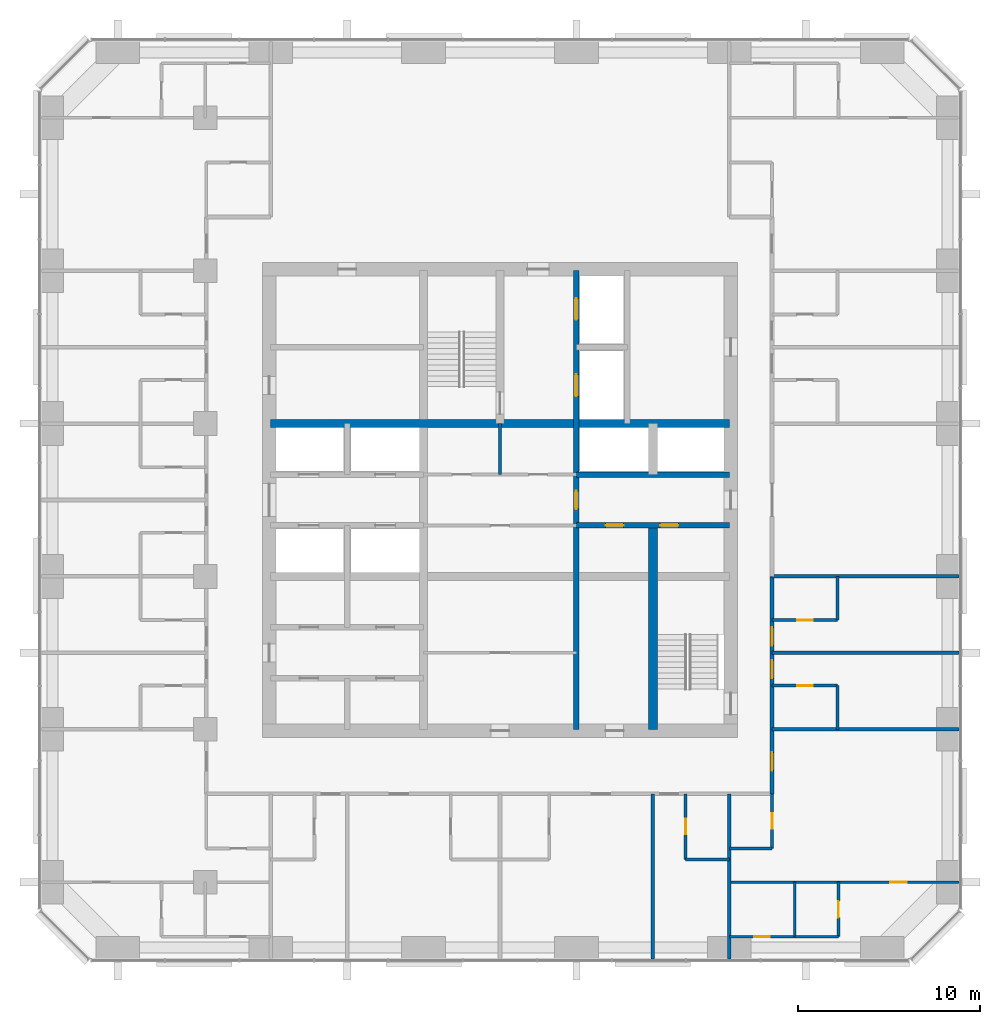
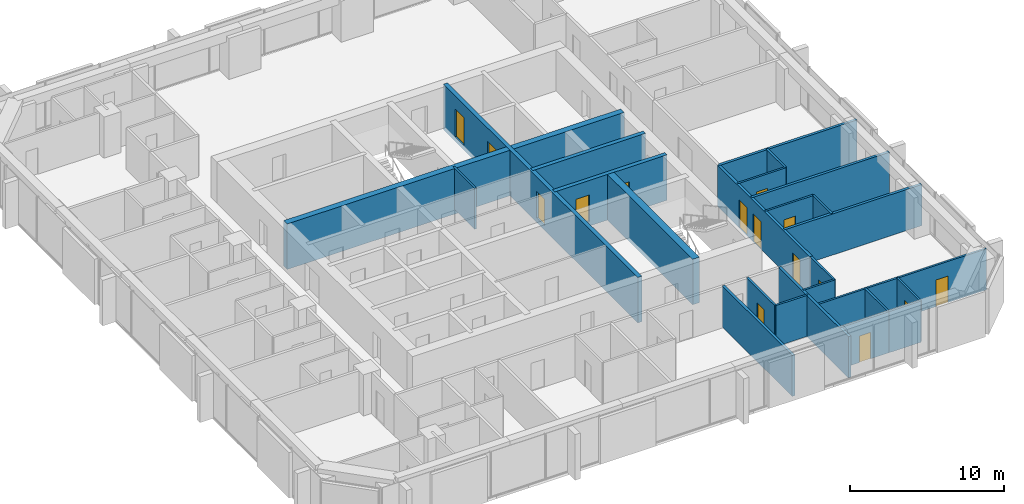
# One storey, part 10 of 13: 25 walls, 15 doors, 15 openings.
"""IFC4 building model written with IfcOpenShell, lengths in metres."""

from ifc_helpers import new_model, si_unit, direction, frame, frame_2d, origin, place, context, subcontext, project, spatial, rectangle, extrude, material, layer, layer_set, type_object, element, fill, save


model = new_model("IFC4")

# Units and contexts
model_context = context("Model", 3, precision=1e-05, world=origin(), true_north=direction((0.0, 1.0)))
body_context = subcontext(model_context, "Body", "Model", "MODEL_VIEW")
ifc_project = project(units=[si_unit("LENGTHUNIT", "METRE"), si_unit("AREAUNIT", "SQUARE_METRE"), si_unit("VOLUMEUNIT", "CUBIC_METRE"), si_unit("PLANEANGLEUNIT", "RADIAN"), si_unit("MASSUNIT", "GRAM", prefix="KILO")], contexts=[model_context])

# Site, building, storey
site_placement = place(None, origin())
site = spatial("IfcSite", under=ifc_project, at=site_placement, CompositionType="ELEMENT")
building_placement = place(site_placement, origin())
building = spatial("IfcBuilding", under=site, at=building_placement, Name="Dunama Terrace Hotel", CompositionType="ELEMENT")
storey_placement = place(building_placement, frame((0.0, 0.0, 169.800048828125)))
storey = spatial("IfcBuildingStorey", under=building, at=storey_placement, Name="L43", CompositionType="ELEMENT", Elevation=169.800048828125)

# Wall, opening, door
ifc_material_1 = material(Name="Gypsum board partition", Category="masonry")
ifc_layer_1 = layer(ifc_material_1, 0.14990234375)
ifc_layer_set_1 = layer_set([ifc_layer_1], Name="Bathroom partition 150")
wall_type_1 = type_object("IfcWallType", Name="Bathroom partition 150", PredefinedType="PARTITIONING", material=ifc_layer_set_1)
wall_1_placement = place(storey_placement, frame((39.60009765625, 9.64990234375, 0.0), z_axis=(0.0, 0.0, 1.0), x_axis=(0.0, 1.0, 0.0)))
wall_1 = element("IfcWall", 1, at=wall_1_placement, inside=storey, type_object=wall_type_1, Name="Bathroom partition 150 L43", PredefinedType="PARTITIONING", context=body_context, shape_type="SweptSolid", body=[
    extrude(rectangle(XDim=3.60009765625, YDim=0.14990234375, at=frame_2d((1.800048828125, 0.0))), origin(), (0.0, 0.0, 1.0), 3.25),
])
opening_1_placement = place(wall_1_placement, frame((1.375, 0.0, 0.0)))
opening_1 = element("IfcOpeningElement", 2, at=opening_1_placement, cuts=wall_1, Name="Opening L42-44-016", PredefinedType="OPENING", context=body_context, shape_type="SweptSolid", body=[
    extrude(rectangle(XDim=0.85009765625, YDim=2.10009765625, at=frame_2d((0.425048828125, 1.050048828125))), frame((0.0, 0.0849609375, 0.0), z_axis=(0.0, -1.0, 0.0), x_axis=(1.0, 0.0, 0.0)), (0.0, 0.0, 1.0), 0.169921875),
])
ifc_material_2 = material(Name="Timber door with steel frame", Category="steel")
door_type_1 = type_object("IfcDoorType", Name="Bathroom door 850", OperationType="SINGLE_SWING_LEFT", PredefinedType="DOOR", material=ifc_material_2)
door_1_placement = place(opening_1_placement, frame((0.85009765625, 0.0, 0.0), z_axis=(0.0, 0.0, 1.0), x_axis=(-1.0, 0.0, 0.0)))
door_1 = element("IfcDoor", 3, at=door_1_placement, inside=storey, type_object=door_type_1, Name="Door to en-suite bathroom L42-44-016, type D2", OperationType="SINGLE_SWING_LEFT", OverallHeight=2.10009765625, OverallWidth=0.85009765625, PredefinedType="DOOR", context=body_context, shape_type="SweptSolid", body=[
    extrude(rectangle(XDim=0.85009765625, YDim=2.10009765625, at=frame_2d((0.425048828125, 1.050048828125))), frame((0.0, 0.025146484375, 0.0), z_axis=(0.0, -1.0, 0.0), x_axis=(1.0, 0.0, 0.0)), (0.0, 0.0, 1.0), 0.050048828125),
])
fill(opening_1, door_1)

wall_2_placement = place(storey_placement, frame((44.35009765625, 10.25, 0.0), z_axis=(0.0, 0.0, 1.0), x_axis=(0.0, 1.0, 0.0)))
wall_2 = element("IfcWall", 4, at=wall_2_placement, inside=storey, type_object=wall_type_1, Name="Bathroom partition 150 L43", PredefinedType="PARTITIONING", context=body_context, shape_type="SweptSolid", body=[
    extrude(rectangle(XDim=3.0, YDim=0.14990234375, at=frame_2d((1.5, 0.0))), origin(), (0.0, 0.0, 1.0), 3.25),
])
opening_2_placement = place(wall_2_placement, frame((1.074951171875, 0.0, 0.0)))
opening_2 = element("IfcOpeningElement", 5, at=opening_2_placement, cuts=wall_2, Name="Opening L42-44-044", PredefinedType="OPENING", context=body_context, shape_type="SweptSolid", body=[
    extrude(rectangle(XDim=0.85009765625, YDim=2.10009765625, at=frame_2d((0.425048828125, 1.050048828125))), frame((0.0, 0.0849609375, 0.0), z_axis=(0.0, -1.0, 0.0), x_axis=(1.0, 0.0, 0.0)), (0.0, 0.0, 1.0), 0.169921875),
])
door_2_placement = place(opening_2_placement, origin())
door_2 = element("IfcDoor", 6, at=door_2_placement, inside=storey, type_object=door_type_1, Name="Door to powder room L42-44-044, type D2", OperationType="SINGLE_SWING_RIGHT", OverallHeight=2.10009765625, OverallWidth=0.85009765625, PredefinedType="DOOR", context=body_context, shape_type="SweptSolid", body=[
    extrude(rectangle(XDim=0.85009765625, YDim=2.10009765625, at=frame_2d((0.425048828125, 1.050048828125))), frame((0.0, 0.02490234375, 0.0), z_axis=(0.0, -1.0, 0.0), x_axis=(1.0, 0.0, 0.0)), (0.0, 0.0, 1.0), 0.050048828125),
])
fill(opening_2, door_2)

# Walls
for number, where, z_axis, x_axis, name in (
    (7, (47.949951171875, 16.800048828125, 0.0), (0.0, 0.0, 1.0), (0.0, 1.0, 0.0), "Bathroom partition 150 L43"),
    (8, (47.949951171875, 22.800048828125, 0.0), (0.0, 0.0, 1.0), (0.0, 1.0, 0.0), "Bathroom partition 150 L43"),
):
    element("IfcWall", number, at=place(storey_placement, frame(where, z_axis=z_axis, x_axis=x_axis)), inside=storey, type_object=wall_type_1, Name=name, PredefinedType="PARTITIONING", context=body_context, shape_type="SweptSolid", body=[
        extrude(rectangle(XDim=2.39990234375, YDim=0.14990234375, at=frame_2d((1.199951171875, 0.0))), origin(), (0.0, 0.0, 1.0), 3.25),
    ])

# Wall, opening, door
wall_3_placement = place(storey_placement, frame((42.0, 5.39990234375, 0.0), z_axis=(0.0, 0.0, 1.0), x_axis=(1.0, 0.0, 0.0)))
wall_3 = element("IfcWall", 9, at=wall_3_placement, inside=storey, type_object=wall_type_1, Name="Bathroom partition 150 L43", PredefinedType="PARTITIONING", context=body_context, shape_type="SweptSolid", body=[
    extrude(rectangle(XDim=3.60009765625, YDim=0.14990234375, at=frame_2d((1.800048828125, 0.0))), origin(), (0.0, 0.0, 1.0), 3.25),
])
opening_3_placement = place(wall_3_placement, frame((1.375, 0.0, 0.0)))
opening_3 = element("IfcOpeningElement", 10, at=opening_3_placement, cuts=wall_3, Name="Opening L42-44-046", PredefinedType="OPENING", context=body_context, shape_type="SweptSolid", body=[
    extrude(rectangle(XDim=0.85009765625, YDim=2.10009765625, at=frame_2d((0.425048828125, 1.050048828125))), frame((0.0, 0.0849609375, 0.0), z_axis=(0.0, -1.0, 0.0), x_axis=(1.0, 0.0, 0.0)), (0.0, 0.0, 1.0), 0.169921875),
])
door_3_placement = place(opening_3_placement, origin())
door_3 = element("IfcDoor", 11, at=door_3_placement, inside=storey, type_object=door_type_1, Name="Door to en-suite bathroom L42-44-046, type D2", OperationType="SINGLE_SWING_LEFT", OverallHeight=2.10009765625, OverallWidth=0.85009765625, PredefinedType="DOOR", context=body_context, shape_type="SweptSolid", body=[
    extrude(rectangle(XDim=0.85009765625, YDim=2.10009765625, at=frame_2d((0.425048828125, 1.050048828125))), frame((0.0, 0.02490234375, 0.0), z_axis=(0.0, -1.0, 0.0), x_axis=(1.0, 0.0, 0.0)), (0.0, 0.0, 1.0), 0.050048828125),
])
fill(opening_3, door_3)

# Walls
wall_4_placement = place(storey_placement, frame((39.60009765625, 9.64990234375, 0.0), z_axis=(0.0, 0.0, 1.0), x_axis=(1.0, 0.0, 0.0)))
element("IfcWall", 12, at=wall_4_placement, inside=storey, type_object=wall_type_1, Name="Bathroom partition 150 L43", PredefinedType="PARTITIONING", context=body_context, shape_type="SweptSolid", body=[
    extrude(rectangle(XDim=2.39990234375, YDim=0.14990234375, at=frame_2d((1.199951171875, 0.0))), origin(), (0.0, 0.0, 1.0), 3.25),
])
wall_5_placement = place(storey_placement, frame((42.0, 10.25, 0.0), z_axis=(0.0, 0.0, 1.0), x_axis=(1.0, 0.0, 0.0)))
element("IfcWall", 13, at=wall_5_placement, inside=storey, type_object=wall_type_1, Name="Bathroom partition 150 L43", PredefinedType="PARTITIONING", context=body_context, shape_type="SweptSolid", body=[
    extrude(rectangle(XDim=2.35009765625, YDim=0.14990234375, at=frame_2d((1.175048828125, 0.0))), origin(), (0.0, 0.0, 1.0), 3.25),
])

# Wall, opening, door
wall_6_placement = place(storey_placement, frame((44.35009765625, 19.199951171875, 0.0), z_axis=(0.0, 0.0, 1.0), x_axis=(1.0, 0.0, 0.0)))
wall_6 = element("IfcWall", 14, at=wall_6_placement, inside=storey, type_object=wall_type_1, Name="Bathroom partition 150 L43", PredefinedType="PARTITIONING", context=body_context, shape_type="SweptSolid", body=[
    extrude(rectangle(XDim=3.599853515625, YDim=0.14990234375, at=frame_2d((1.7998046875, 0.0))), origin(), (0.0, 0.0, 1.0), 3.25),
])
opening_4_placement = place(wall_6_placement, frame((1.375, 0.0, 0.0)))
opening_4 = element("IfcOpeningElement", 15, at=opening_4_placement, cuts=wall_6, Name="Opening L42-44-018", PredefinedType="OPENING", context=body_context, shape_type="SweptSolid", body=[
    extrude(rectangle(XDim=0.85009765625, YDim=2.10009765625, at=frame_2d((0.425048828125, 1.050048828125))), frame((0.0, 0.0849609375, 0.0), z_axis=(0.0, -1.0, 0.0), x_axis=(1.0, 0.0, 0.0)), (0.0, 0.0, 1.0), 0.169921875),
])
door_4_placement = place(opening_4_placement, frame((0.85009765625, 0.0, 0.0), z_axis=(0.0, 0.0, 1.0), x_axis=(-1.0, 0.0, 0.0)))
door_4 = element("IfcDoor", 16, at=door_4_placement, inside=storey, type_object=door_type_1, Name="Door to en-suite bathroom L42-44-018, type D2", OperationType="SINGLE_SWING_RIGHT", OverallHeight=2.10009765625, OverallWidth=0.85009765625, PredefinedType="DOOR", context=body_context, shape_type="SweptSolid", body=[
    extrude(rectangle(XDim=0.85009765625, YDim=2.10009765625, at=frame_2d((0.425048828125, 1.050048828125))), frame((0.0, 0.025146484375, 0.0), z_axis=(0.0, -1.0, 0.0), x_axis=(1.0, 0.0, 0.0)), (0.0, 0.0, 1.0), 0.050048828125),
])
fill(opening_4, door_4)

wall_7_placement = place(storey_placement, frame((44.35009765625, 22.800048828125, 0.0), z_axis=(0.0, 0.0, 1.0), x_axis=(1.0, 0.0, 0.0)))
wall_7 = element("IfcWall", 17, at=wall_7_placement, inside=storey, type_object=wall_type_1, Name="Bathroom partition 150 L43", PredefinedType="PARTITIONING", context=body_context, shape_type="SweptSolid", body=[
    extrude(rectangle(XDim=3.599853515625, YDim=0.14990234375, at=frame_2d((1.7998046875, 0.0))), origin(), (0.0, 0.0, 1.0), 3.25),
])
opening_5_placement = place(wall_7_placement, frame((1.375, 0.0, 0.0)))
opening_5 = element("IfcOpeningElement", 18, at=opening_5_placement, cuts=wall_7, Name="Opening L42-44-020", PredefinedType="OPENING", context=body_context, shape_type="SweptSolid", body=[
    extrude(rectangle(XDim=0.85009765625, YDim=2.10009765625, at=frame_2d((0.425048828125, 1.050048828125))), frame((0.0, 0.0849609375, 0.0), z_axis=(0.0, -1.0, 0.0), x_axis=(1.0, 0.0, 0.0)), (0.0, 0.0, 1.0), 0.169921875),
])
door_5_placement = place(opening_5_placement, origin())
door_5 = element("IfcDoor", 19, at=door_5_placement, inside=storey, type_object=door_type_1, Name="Door to en-suite bathroom L42-44-020, type D2", OperationType="SINGLE_SWING_LEFT", OverallHeight=2.10009765625, OverallWidth=0.85009765625, PredefinedType="DOOR", context=body_context, shape_type="SweptSolid", body=[
    extrude(rectangle(XDim=0.85009765625, YDim=2.10009765625, at=frame_2d((0.425048828125, 1.050048828125))), frame((0.0, 0.02490234375, 0.0), z_axis=(0.0, -1.0, 0.0), x_axis=(1.0, 0.0, 0.0)), (0.0, 0.0, 1.0), 0.050048828125),
])
fill(opening_5, door_5)

# Wall, openings, doors
ifc_material_3 = material(Name="Concrete C50/60", Category="concrete")
ifc_layer_2 = layer(ifc_material_3, 0.300048828125)
ifc_layer_set_2 = layer_set([ifc_layer_2], Name="Core inner wall 300")
wall_type_2 = type_object("IfcWallType", Name="Core inner wall 300", PredefinedType="SHEAR", material=ifc_layer_set_2)
wall_8_placement = place(storey_placement, frame((33.60009765625, 16.800048828125, -0.35009765625), z_axis=(0.0, 0.0, 1.0), x_axis=(0.0, 1.0, 0.0)))
wall_8 = element("IfcWall", 20, at=wall_8_placement, inside=storey, type_object=wall_type_2, Name="Core inner wall 300 L43", PredefinedType="SHEAR", context=body_context, shape_type="SweptSolid", body=[
    extrude(rectangle(XDim=25.199951171875, YDim=0.300048828125, at=frame_2d((12.60009765625, 0.0))), origin(), (0.0, 0.0, 1.0), 3.60009765625),
])
opening_6_placement = place(wall_8_placement, frame((22.5, 0.0, 0.35009765625)))
opening_6 = element("IfcOpeningElement", 21, at=opening_6_placement, cuts=wall_8, Name="Opening L42-44-007", PredefinedType="OPENING", context=body_context, shape_type="SweptSolid", body=[
    extrude(rectangle(XDim=1.199951171875, YDim=2.199951171875, at=frame_2d((0.60009765625, 1.10009765625))), frame((0.0, 0.159912109375, 0.0), z_axis=(0.0, -1.0, 0.0), x_axis=(1.0, 0.0, 0.0)), (0.0, 0.0, 1.0), 0.320068359375),
])
opening_7_placement = place(wall_8_placement, frame((18.300048828125, 0.0, 0.35009765625)))
opening_7 = element("IfcOpeningElement", 22, at=opening_7_placement, cuts=wall_8, Name="Opening L42-44-008", PredefinedType="OPENING", context=body_context, shape_type="SweptSolid", body=[
    extrude(rectangle(XDim=1.199951171875, YDim=2.199951171875, at=frame_2d((0.60009765625, 1.10009765625))), frame((0.0, 0.159912109375, 0.0), z_axis=(0.0, -1.0, 0.0), x_axis=(1.0, 0.0, 0.0)), (0.0, 0.0, 1.0), 0.320068359375),
])
opening_8_placement = place(wall_8_placement, frame((12.10009765625, 0.0, 0.35009765625)))
opening_8 = element("IfcOpeningElement", 23, at=opening_8_placement, cuts=wall_8, Name="Opening L42-44-066", PredefinedType="OPENING", context=body_context, shape_type="SweptSolid", body=[
    extrude(rectangle(XDim=1.0, YDim=2.10009765625, at=frame_2d((0.5, 1.050048828125))), frame((0.0, 0.159912109375, 0.0), z_axis=(0.0, -1.0, 0.0), x_axis=(1.0, 0.0, 0.0)), (0.0, 0.0, 1.0), 0.320068359375),
])
ifc_material_4 = material(Name="Stainless steel lift door", Category="steel")
door_type_2 = type_object("IfcDoorType", Name="Firefighting lift landing door 1200", OperationType="DOUBLE_DOOR_SLIDING", PredefinedType="DOOR", material=ifc_material_4)
door_6_placement = place(opening_6_placement, origin())
door_6 = element("IfcDoor", 24, at=door_6_placement, inside=storey, type_object=door_type_2, Name="Landing door FL1 L42-44-007, type LD2", OperationType="DOUBLE_DOOR_SLIDING", OverallHeight=2.199951171875, OverallWidth=1.199951171875, PredefinedType="DOOR", context=body_context, shape_type="SweptSolid", body=[
    extrude(rectangle(XDim=1.199951171875, YDim=2.199951171875, at=frame_2d((0.60009765625, 1.10009765625))), frame((0.0, 0.02490234375, 0.0), z_axis=(0.0, -1.0, 0.0), x_axis=(1.0, 0.0, 0.0)), (0.0, 0.0, 1.0), 0.050048828125),
])
fill(opening_6, door_6)
door_7_placement = place(opening_7_placement, origin())
door_7 = element("IfcDoor", 25, at=door_7_placement, inside=storey, type_object=door_type_2, Name="Landing door FL2 L42-44-008, type LD2", OperationType="DOUBLE_DOOR_SLIDING", OverallHeight=2.199951171875, OverallWidth=1.199951171875, PredefinedType="DOOR", context=body_context, shape_type="SweptSolid", body=[
    extrude(rectangle(XDim=1.199951171875, YDim=2.199951171875, at=frame_2d((0.60009765625, 1.10009765625))), frame((0.0, 0.02490234375, 0.0), z_axis=(0.0, -1.0, 0.0), x_axis=(1.0, 0.0, 0.0)), (0.0, 0.0, 1.0), 0.050048828125),
])
fill(opening_7, door_7)
ifc_material_5 = material(Name="Timber door with steel frame", Category="steel")
door_type_3 = type_object("IfcDoorType", Name="Service door 1000", OperationType="SINGLE_SWING_LEFT", PredefinedType="DOOR", material=ifc_material_5)
door_8_placement = place(opening_8_placement, origin())
door_8 = element("IfcDoor", 26, at=door_8_placement, inside=storey, type_object=door_type_3, Name="Door to staff passage L42-44-066, type D7", OperationType="SINGLE_SWING_LEFT", OverallHeight=2.10009765625, OverallWidth=1.0, PredefinedType="DOOR", context=body_context, shape_type="SweptSolid", body=[
    extrude(rectangle(XDim=1.0, YDim=2.10009765625, at=frame_2d((0.5, 1.050048828125))), frame((0.0, 0.02490234375, 0.0), z_axis=(0.0, -1.0, 0.0), x_axis=(1.0, 0.0, 0.0)), (0.0, 0.0, 1.0), 0.050048828125),
])
fill(opening_8, door_8)

wall_9_placement = place(storey_placement, frame((33.60009765625, 28.0, -0.35009765625), z_axis=(0.0, 0.0, 1.0), x_axis=(1.0, 0.0, 0.0)))
wall_9 = element("IfcWall", 27, at=wall_9_placement, inside=storey, type_object=wall_type_2, Name="Core inner wall 300 L43", PredefinedType="SHEAR", context=body_context, shape_type="SweptSolid", body=[
    extrude(rectangle(XDim=8.39990234375, YDim=0.300048828125, at=frame_2d((4.199951171875, 0.0))), origin(), (0.0, 0.0, 1.0), 3.60009765625),
])
opening_9_placement = place(wall_9_placement, frame((1.60009765625, 0.0, 0.35009765625)))
opening_9 = element("IfcOpeningElement", 28, at=opening_9_placement, cuts=wall_9, Name="Opening L42-44-070", PredefinedType="OPENING", context=body_context, shape_type="SweptSolid", body=[
    extrude(rectangle(XDim=1.0, YDim=2.10009765625, at=frame_2d((0.5, 1.050048828125))), frame((0.0, 0.159912109375, 0.0), z_axis=(0.0, -1.0, 0.0), x_axis=(1.0, 0.0, 0.0)), (0.0, 0.0, 1.0), 0.320068359375),
])
opening_10_placement = place(wall_9_placement, frame((4.60009765625, 0.0, 0.35009765625)))
opening_10 = element("IfcOpeningElement", 29, at=opening_10_placement, cuts=wall_9, Name="Opening L42-44-071", PredefinedType="OPENING", context=body_context, shape_type="SweptSolid", body=[
    extrude(rectangle(XDim=1.0, YDim=2.10009765625, at=frame_2d((0.5, 1.050048828125))), frame((0.0, 0.159912109375, 0.0), z_axis=(0.0, -1.0, 0.0), x_axis=(1.0, 0.0, 0.0)), (0.0, 0.0, 1.0), 0.320068359375),
])
door_9_placement = place(opening_9_placement, frame((1.0, 0.0, 0.0), z_axis=(0.0, 0.0, 1.0), x_axis=(-1.0, 0.0, 0.0)))
door_9 = element("IfcDoor", 30, at=door_9_placement, inside=storey, type_object=door_type_3, Name="Door to service riser L42-44-070, type D7", OperationType="SINGLE_SWING_LEFT", OverallHeight=2.10009765625, OverallWidth=1.0, PredefinedType="DOOR", context=body_context, shape_type="SweptSolid", body=[
    extrude(rectangle(XDim=1.0, YDim=2.10009765625, at=frame_2d((0.5, 1.050048828125))), frame((0.0, 0.025146484375, 0.0), z_axis=(0.0, -1.0, 0.0), x_axis=(1.0, 0.0, 0.0)), (0.0, 0.0, 1.0), 0.050048828125),
])
fill(opening_9, door_9)
door_10_placement = place(opening_10_placement, frame((1.0, 0.0, 0.0), z_axis=(0.0, 0.0, 1.0), x_axis=(-1.0, 0.0, 0.0)))
door_10 = element("IfcDoor", 31, at=door_10_placement, inside=storey, type_object=door_type_3, Name="Door to housekeeping store L42-44-071, type D7", OperationType="SINGLE_SWING_RIGHT", OverallHeight=2.10009765625, OverallWidth=1.0, PredefinedType="DOOR", context=body_context, shape_type="SweptSolid", body=[
    extrude(rectangle(XDim=1.0, YDim=2.10009765625, at=frame_2d((0.5, 1.050048828125))), frame((0.0, 0.025146484375, 0.0), z_axis=(0.0, -1.0, 0.0), x_axis=(1.0, 0.0, 0.0)), (0.0, 0.0, 1.0), 0.050048828125),
])
fill(opening_10, door_10)

# Walls
wall_10_placement = place(storey_placement, frame((33.60009765625, 30.800048828125, -0.35009765625), z_axis=(0.0, 0.0, 1.0), x_axis=(1.0, 0.0, 0.0)))
element("IfcWall", 32, at=wall_10_placement, inside=storey, type_object=wall_type_2, Name="Core inner wall 300 L43", PredefinedType="SHEAR", context=body_context, shape_type="SweptSolid", body=[
    extrude(rectangle(XDim=8.39990234375, YDim=0.300048828125, at=frame_2d((4.199951171875, 0.0))), origin(), (0.0, 0.0, 1.0), 3.60009765625),
])
ifc_material_6 = material(Name="Concrete C50/60", Category="concrete")
ifc_layer_3 = layer(ifc_material_6, 0.449951171875)
ifc_layer_set_3 = layer_set([ifc_layer_3], Name="Core inner wall 450")
wall_type_3 = type_object("IfcWallType", Name="Core inner wall 450", PredefinedType="SHEAR", material=ifc_layer_set_3)
wall_11_placement = place(storey_placement, frame((16.800048828125, 33.60009765625, -0.35009765625), z_axis=(0.0, 0.0, 1.0), x_axis=(1.0, 0.0, 0.0)))
element("IfcWall", 33, at=wall_11_placement, inside=storey, type_object=wall_type_3, Name="Core inner wall 450 L43", PredefinedType="SHEAR", context=body_context, shape_type="SweptSolid", body=[
    extrude(rectangle(XDim=25.199951171875, YDim=0.449951171875, at=frame_2d((12.60009765625, 0.0))), origin(), (0.0, 0.0, 1.0), 3.60009765625),
])
ifc_material_7 = material(Name="Concrete C50/60", Category="concrete")
ifc_layer_4 = layer(ifc_material_7, 0.5)
ifc_layer_set_4 = layer_set([ifc_layer_4], Name="Core inner wall 500")
wall_type_4 = type_object("IfcWallType", Name="Core inner wall 500", PredefinedType="SHEAR", material=ifc_layer_set_4)
wall_12_placement = place(storey_placement, frame((37.800048828125, 16.800048828125, -0.35009765625), z_axis=(0.0, 0.0, 1.0), x_axis=(0.0, 1.0, 0.0)))
element("IfcWall", 34, at=wall_12_placement, inside=storey, type_object=wall_type_4, Name="Core inner wall 500 L43", PredefinedType="SHEAR", context=body_context, shape_type="SweptSolid", body=[
    extrude(rectangle(XDim=11.199951171875, YDim=0.5, at=frame_2d((5.60009765625, 0.0))), origin(), (0.0, 0.0, 1.0), 3.60009765625),
])

# Wall, openings, doors
ifc_material_8 = material(Name="Concrete blockwork", Category="masonry")
ifc_layer_5 = layer(ifc_material_8, 0.199951171875)
ifc_layer_set_5 = layer_set([ifc_layer_5], Name="Corridor partition 200")
wall_type_5 = type_object("IfcWallType", Name="Corridor partition 200", PredefinedType="PARTITIONING", material=ifc_layer_set_5)
wall_13_placement = place(storey_placement, frame((44.35009765625, 25.199951171875, 0.0), z_axis=(0.0, 0.0, 1.0), x_axis=(0.0, -1.0, 0.0)))
wall_13 = element("IfcWall", 35, at=wall_13_placement, inside=storey, type_object=wall_type_5, Name="Corridor partition 200 L43", PredefinedType="PARTITIONING", context=body_context, shape_type="SweptSolid", body=[
    extrude(rectangle(XDim=11.949951171875, YDim=0.199951171875, at=frame_2d((5.97509765625, 0.0))), origin(), (0.0, 0.0, 1.0), 3.25),
])
opening_11_placement = place(wall_13_placement, frame((4.60009765625, 0.0, 0.0)))
opening_11 = element("IfcOpeningElement", 36, at=opening_11_placement, cuts=wall_13, Name="Opening L42-44-017", PredefinedType="OPENING", context=body_context, shape_type="SweptSolid", body=[
    extrude(rectangle(XDim=1.0, YDim=2.199951171875, at=frame_2d((0.5, 1.10009765625))), frame((0.0, 0.10986328125, 0.0), z_axis=(0.0, -1.0, 0.0), x_axis=(1.0, 0.0, 0.0)), (0.0, 0.0, 1.0), 0.219970703125),
])
opening_12_placement = place(wall_13_placement, frame((2.800048828125, 0.0, 0.0)))
opening_12 = element("IfcOpeningElement", 37, at=opening_12_placement, cuts=wall_13, Name="Opening L42-44-019", PredefinedType="OPENING", context=body_context, shape_type="SweptSolid", body=[
    extrude(rectangle(XDim=1.0, YDim=2.199951171875, at=frame_2d((0.5, 1.10009765625))), frame((0.0, 0.10986328125, 0.0), z_axis=(0.0, -1.0, 0.0), x_axis=(1.0, 0.0, 0.0)), (0.0, 0.0, 1.0), 0.219970703125),
])
opening_13_placement = place(wall_13_placement, frame((9.675048828125, 0.0, 0.0)))
opening_13 = element("IfcOpeningElement", 38, at=opening_13_placement, cuts=wall_13, Name="Opening L42-44-043", PredefinedType="OPENING", context=body_context, shape_type="SweptSolid", body=[
    extrude(rectangle(XDim=1.0, YDim=2.199951171875, at=frame_2d((0.5, 1.10009765625))), frame((0.0, 0.10986328125, 0.0), z_axis=(0.0, -1.0, 0.0), x_axis=(1.0, 0.0, 0.0)), (0.0, 0.0, 1.0), 0.219970703125),
])
ifc_material_9 = material(Name="Timber door with steel frame", Category="steel")
door_type_4 = type_object("IfcDoorType", Name="Guest room door 1000", OperationType="SINGLE_SWING_LEFT", PredefinedType="DOOR", material=ifc_material_9)
door_11_placement = place(opening_11_placement, origin())
door_11 = element("IfcDoor", 39, at=door_11_placement, inside=storey, type_object=door_type_4, Name="Door to club room L42-44-017, type D1", OperationType="SINGLE_SWING_LEFT", OverallHeight=2.199951171875, OverallWidth=1.0, PredefinedType="DOOR", context=body_context, shape_type="SweptSolid", body=[
    extrude(rectangle(XDim=1.0, YDim=2.199951171875, at=frame_2d((0.5, 1.10009765625))), frame((0.0, 0.02490234375, 0.0), z_axis=(0.0, -1.0, 0.0), x_axis=(1.0, 0.0, 0.0)), (0.0, 0.0, 1.0), 0.050048828125),
])
fill(opening_11, door_11)
door_12_placement = place(opening_12_placement, origin())
door_12 = element("IfcDoor", 40, at=door_12_placement, inside=storey, type_object=door_type_4, Name="Door to club room L42-44-019, type D1", OperationType="SINGLE_SWING_RIGHT", OverallHeight=2.199951171875, OverallWidth=1.0, PredefinedType="DOOR", context=body_context, shape_type="SweptSolid", body=[
    extrude(rectangle(XDim=1.0, YDim=2.199951171875, at=frame_2d((0.5, 1.10009765625))), frame((0.0, 0.02490234375, 0.0), z_axis=(0.0, -1.0, 0.0), x_axis=(1.0, 0.0, 0.0)), (0.0, 0.0, 1.0), 0.050048828125),
])
fill(opening_12, door_12)
door_13_placement = place(opening_13_placement, origin())
door_13 = element("IfcDoor", 41, at=door_13_placement, inside=storey, type_object=door_type_4, Name="Door to corner suite living room L42-44-043, type D1", OperationType="SINGLE_SWING_RIGHT", OverallHeight=2.199951171875, OverallWidth=1.0, PredefinedType="DOOR", context=body_context, shape_type="SweptSolid", body=[
    extrude(rectangle(XDim=1.0, YDim=2.199951171875, at=frame_2d((0.5, 1.10009765625))), frame((0.0, 0.02490234375, 0.0), z_axis=(0.0, -1.0, 0.0), x_axis=(1.0, 0.0, 0.0)), (0.0, 0.0, 1.0), 0.050048828125),
])
fill(opening_13, door_13)

# Walls
ifc_material_10 = material(Name="Concrete blockwork", Category="masonry")
ifc_layer_6 = layer(ifc_material_10, 0.199951171875)
ifc_layer_set_6 = layer_set([ifc_layer_6], Name="Party wall 200")
wall_type_6 = type_object("IfcWallType", Name="Party wall 200", PredefinedType="PARTITIONING", material=ifc_layer_set_6)
for number, where, z_axis, x_axis, name in (
    (42, (37.800048828125, 4.181884765625, 0.0), (0.0, 0.0, 1.0), (0.0, 1.0, 0.0), "Party wall 200 L43"),
    (43, (42.0, 4.181884765625, 0.0), (0.0, 0.0, 1.0), (0.0, 1.0, 0.0), "Party wall 200 L43"),
):
    element("IfcWall", number, at=place(storey_placement, frame(where, z_axis=z_axis, x_axis=x_axis)), inside=storey, type_object=wall_type_6, Name=name, PredefinedType="PARTITIONING", context=body_context, shape_type="SweptSolid", body=[
        extrude(rectangle(XDim=9.068115234375, YDim=0.199951171875, at=frame_2d((4.5341796875, 0.0))), origin(), (0.0, 0.0, 1.0), 3.25),
    ])
for number, where, z_axis, x_axis, name in (
    (44, (44.35009765625, 16.800048828125, 0.0), (0.0, 0.0, 1.0), (1.0, 0.0, 0.0), "Party wall 200 L43"),
    (45, (44.35009765625, 21.0, 0.0), (0.0, 0.0, 1.0), (1.0, 0.0, 0.0), "Party wall 200 L43"),
    (46, (44.35009765625, 25.199951171875, 0.0), (0.0, 0.0, 1.0), (1.0, 0.0, 0.0), "Party wall 200 L43"),
):
    element("IfcWall", number, at=place(storey_placement, frame(where, z_axis=z_axis, x_axis=x_axis)), inside=storey, type_object=wall_type_6, Name=name, PredefinedType="PARTITIONING", context=body_context, shape_type="SweptSolid", body=[
        extrude(rectangle(XDim=10.267822265625, YDim=0.199951171875, at=frame_2d((5.1337890625, 0.0))), origin(), (0.0, 0.0, 1.0), 3.25),
    ])
ifc_material_11 = material(Name="Gypsum board partition", Category="masonry")
ifc_layer_7 = layer(ifc_material_11, 0.14990234375)
ifc_layer_set_7 = layer_set([ifc_layer_7], Name="Room partition 150")
wall_type_7 = type_object("IfcWallType", Name="Room partition 150", PredefinedType="PARTITIONING", material=ifc_layer_set_7)
wall_14_placement = place(storey_placement, frame((29.39990234375, 30.800048828125, 0.0), z_axis=(0.0, 0.0, 1.0), x_axis=(0.0, 1.0, 0.0)))
element("IfcWall", 47, at=wall_14_placement, inside=storey, type_object=wall_type_7, Name="Room partition 150 L43", PredefinedType="PARTITIONING", context=body_context, shape_type="SweptSolid", body=[
    extrude(rectangle(XDim=2.800048828125, YDim=0.14990234375, at=frame_2d((1.39990234375, 0.0))), origin(), (0.0, 0.0, 1.0), 3.25),
])
wall_15_placement = place(storey_placement, frame((45.60009765625, 5.39990234375, 0.0), z_axis=(0.0, 0.0, 1.0), x_axis=(0.0, 1.0, 0.0)))
element("IfcWall", 48, at=wall_15_placement, inside=storey, type_object=wall_type_7, Name="Room partition 150 L43", PredefinedType="PARTITIONING", context=body_context, shape_type="SweptSolid", body=[
    extrude(rectangle(XDim=3.0, YDim=0.14990234375, at=frame_2d((1.5, 0.0))), origin(), (0.0, 0.0, 1.0), 3.25),
])

# Wall, opening, door
wall_16_placement = place(storey_placement, frame((48.0, 5.39990234375, 0.0), z_axis=(0.0, 0.0, 1.0), x_axis=(0.0, 1.0, 0.0)))
wall_16 = element("IfcWall", 49, at=wall_16_placement, inside=storey, type_object=wall_type_7, Name="Room partition 150 L43", PredefinedType="PARTITIONING", context=body_context, shape_type="SweptSolid", body=[
    extrude(rectangle(XDim=3.0, YDim=0.14990234375, at=frame_2d((1.5, 0.0))), origin(), (0.0, 0.0, 1.0), 3.25),
])
opening_14_placement = place(wall_16_placement, frame((1.050048828125, 0.0, 0.0)))
opening_14 = element("IfcOpeningElement", 50, at=opening_14_placement, cuts=wall_16, Name="Opening L42-44-047", PredefinedType="OPENING", context=body_context, shape_type="SweptSolid", body=[
    extrude(rectangle(XDim=0.89990234375, YDim=2.10009765625, at=frame_2d((0.449951171875, 1.050048828125))), frame((0.0, 0.0849609375, 0.0), z_axis=(0.0, -1.0, 0.0), x_axis=(1.0, 0.0, 0.0)), (0.0, 0.0, 1.0), 0.169921875),
])
ifc_material_12 = material(Name="Timber door with steel frame", Category="steel")
door_type_5 = type_object("IfcDoorType", Name="Suite internal door 900", OperationType="SINGLE_SWING_LEFT", PredefinedType="DOOR", material=ifc_material_12)
door_14_placement = place(opening_14_placement, origin())
door_14 = element("IfcDoor", 51, at=door_14_placement, inside=storey, type_object=door_type_5, Name="Door to dressing room L42-44-047, type D16", OperationType="SINGLE_SWING_LEFT", OverallHeight=2.10009765625, OverallWidth=0.89990234375, PredefinedType="DOOR", context=body_context, shape_type="SweptSolid", body=[
    extrude(rectangle(XDim=0.89990234375, YDim=2.10009765625, at=frame_2d((0.449951171875, 1.050048828125))), frame((0.0, 0.02490234375, 0.0), z_axis=(0.0, -1.0, 0.0), x_axis=(1.0, 0.0, 0.0)), (0.0, 0.0, 1.0), 0.050048828125),
])
fill(opening_14, door_14)

# Wall
wall_17_placement = place(storey_placement, frame((45.60009765625, 5.39990234375, 0.0), z_axis=(0.0, 0.0, 1.0), x_axis=(1.0, 0.0, 0.0)))
element("IfcWall", 52, at=wall_17_placement, inside=storey, type_object=wall_type_7, Name="Room partition 150 L43", PredefinedType="PARTITIONING", context=body_context, shape_type="SweptSolid", body=[
    extrude(rectangle(XDim=2.39990234375, YDim=0.14990234375, at=frame_2d((1.199951171875, 0.0))), origin(), (0.0, 0.0, 1.0), 3.25),
])

# Wall, opening, door
wall_18_placement = place(storey_placement, frame((42.0, 8.39990234375, 0.0), z_axis=(0.0, 0.0, 1.0), x_axis=(1.0, 0.0, 0.0)))
wall_18 = element("IfcWall", 53, at=wall_18_placement, inside=storey, type_object=wall_type_7, Name="Room partition 150 L43", PredefinedType="PARTITIONING", context=body_context, shape_type="SweptSolid", body=[
    extrude(rectangle(XDim=12.617919921875, YDim=0.14990234375, at=frame_2d((6.30908203125, 0.0))), origin(), (0.0, 0.0, 1.0), 3.25),
])
opening_15_placement = place(wall_18_placement, frame((8.85009765625, 0.0, 0.0)))
opening_15 = element("IfcOpeningElement", 54, at=opening_15_placement, cuts=wall_18, Name="Opening L42-44-045", PredefinedType="OPENING", context=body_context, shape_type="SweptSolid", body=[
    extrude(rectangle(XDim=0.89990234375, YDim=2.10009765625, at=frame_2d((0.449951171875, 1.050048828125))), frame((0.0, 0.0849609375, 0.0), z_axis=(0.0, -1.0, 0.0), x_axis=(1.0, 0.0, 0.0)), (0.0, 0.0, 1.0), 0.169921875),
])
door_15_placement = place(opening_15_placement, frame((0.89990234375, 0.0, 0.0), z_axis=(0.0, 0.0, 1.0), x_axis=(-1.0, 0.0, 0.0)))
door_15 = element("IfcDoor", 55, at=door_15_placement, inside=storey, type_object=door_type_5, Name="Door to corner suite bedroom L42-44-045, type D16", OperationType="SINGLE_SWING_LEFT", OverallHeight=2.10009765625, OverallWidth=0.89990234375, PredefinedType="DOOR", context=body_context, shape_type="SweptSolid", body=[
    extrude(rectangle(XDim=0.89990234375, YDim=2.10009765625, at=frame_2d((0.449951171875, 1.050048828125))), frame((0.0, 0.025146484375, 0.0), z_axis=(0.0, -1.0, 0.0), x_axis=(1.0, 0.0, 0.0)), (0.0, 0.0, 1.0), 0.050048828125),
])
fill(opening_15, door_15)

save(model, "model.ifc")
